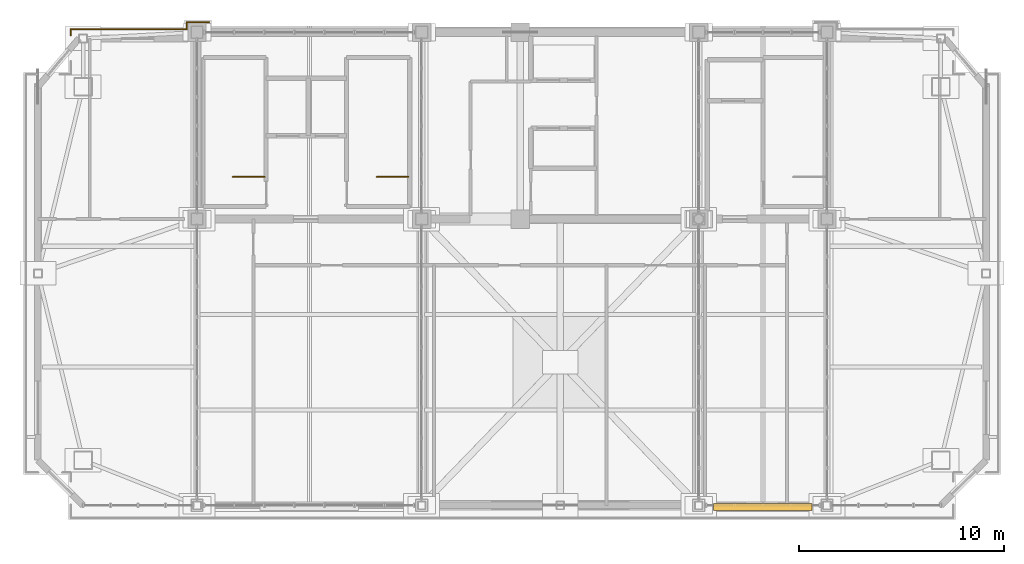
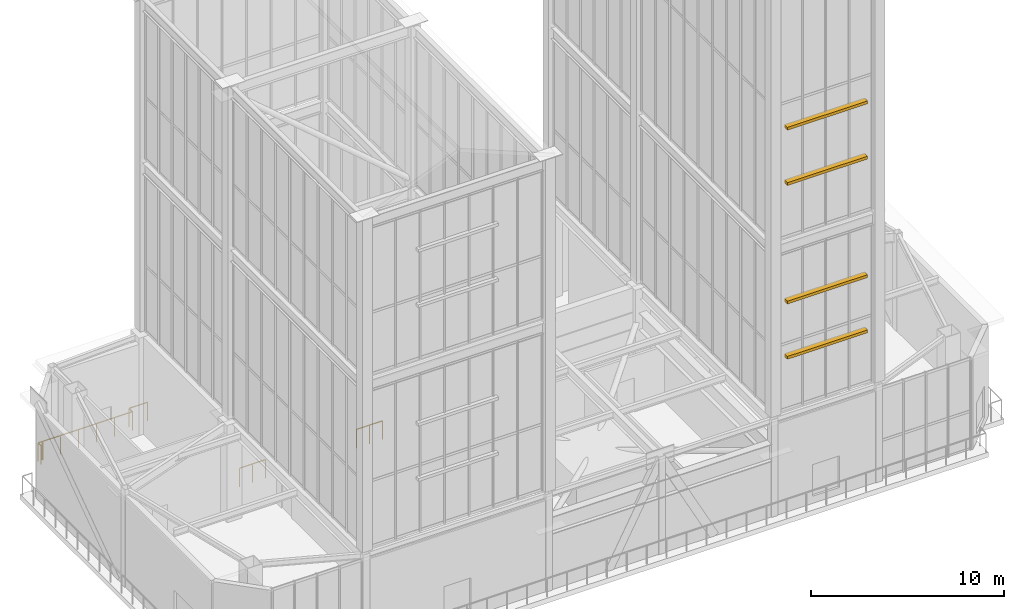
# One storey, part 134 of 135: 7 railings, 4 shading devices.
"""IFC4 building model written with IfcOpenShell, lengths in metres."""

from ifc_helpers import new_model, si_unit, direction, frame, origin, origin_2d, place, context, subcontext, project, spatial, rectangle, extrude, source, transform, mapped, material, type_object, element, save


model = new_model("IFC4")

# Units and contexts
model_context = context("Model", 3, precision=1e-05, world=origin(), true_north=direction((0.0, 1.0)))
body_context = subcontext(model_context, "Body", "Model", "MODEL_VIEW")
ifc_project = project(units=[si_unit("LENGTHUNIT", "METRE"), si_unit("AREAUNIT", "SQUARE_METRE"), si_unit("VOLUMEUNIT", "CUBIC_METRE"), si_unit("PLANEANGLEUNIT", "RADIAN"), si_unit("MASSUNIT", "GRAM", prefix="KILO")], contexts=[model_context])

# Site, building, storey
site_placement = place(None, origin())
site = spatial("IfcSite", under=ifc_project, at=site_placement, CompositionType="ELEMENT")
building_placement = place(site_placement, origin())
building = spatial("IfcBuilding", under=site, at=building_placement, Name="Giltprow Tower", CompositionType="ELEMENT")
storey_placement = place(building_placement, frame((0.0, 0.0, 352.699951171875)))
storey = spatial("IfcBuildingStorey", under=building, at=storey_placement, Name="L92", CompositionType="ELEMENT", Elevation=352.699951171875)

# Railings
ifc_material = material(Name="Anodized bronze", Category="metal")
railing_type_1 = type_object("IfcRailingType", Name="RAIL-BALC-GUARD-1200", PredefinedType="BALUSTRADE", material=ifc_material)
railing_1_placement = place(storey_placement, frame((13.699951171875, 46.4130859375, 0.0)))
element("IfcRailing", 1, at=railing_1_placement, inside=storey, type_object=railing_type_1, Name="L92 Corner Apron Edge Balustrade 15", PredefinedType="BALUSTRADE", context=body_context, shape_type="SweptSolid", body=[
    extrude(rectangle(XDim=0.048095703125, YDim=0.048095703125, at=origin_2d()), frame((0.0, 0.0, 1.17578125), z_axis=(0.0, 1.0, 0.0), x_axis=(-1.0, 0.0, 0.0)), (0.0, 0.0, 1.0), 0.286865234375),
    extrude(rectangle(XDim=0.0419921875, YDim=0.0419921875, at=origin_2d()), origin(), (0.0, 0.0, 1.0), 1.15185546875),
    extrude(rectangle(XDim=0.0419921875, YDim=0.0419921875, at=origin_2d()), frame((0.0, 0.286865234375, 0.0)), (0.0, 0.0, 1.0), 1.15185546875),
])
railing_2_placement = place(storey_placement, frame((13.699951171875, 46.699951171875, 0.0)))
element("IfcRailing", 2, at=railing_2_placement, inside=storey, type_object=railing_type_1, Name="L92 Corner Apron Edge Balustrade 16", PredefinedType="BALUSTRADE", context=body_context, shape_type="SweptSolid", body=[
    extrude(rectangle(XDim=0.048095703125, YDim=0.048095703125, at=origin_2d()), frame((0.0, 0.0, 1.17578125), z_axis=(1.0, 0.0, 0.0), x_axis=(0.0, 1.0, 0.0)), (0.0, 0.0, 1.0), 0.2451171875),
    extrude(rectangle(XDim=0.0419921875, YDim=0.0419921875, at=origin_2d()), origin(), (0.0, 0.0, 1.0), 1.15185546875),
    extrude(rectangle(XDim=0.0419921875, YDim=0.0419921875, at=origin_2d()), frame((0.2451171875, 0.0, 0.0)), (0.0, 0.0, 1.0), 1.15185546875),
])
railing_3_placement = place(storey_placement, frame((13.971923828125, 46.699951171875, 0.0)))
element("IfcRailing", 3, at=railing_3_placement, inside=storey, type_object=railing_type_1, Name="L92 Corner Apron Edge Balustrade 17", PredefinedType="BALUSTRADE", context=body_context, shape_type="SweptSolid", body=[
    extrude(rectangle(XDim=0.048095703125, YDim=0.048095703125, at=origin_2d()), frame((0.0, 0.0, 1.17578125), z_axis=(1.0, 0.0, 0.0), x_axis=(0.0, 1.0, 0.0)), (0.0, 0.0, 1.0), 5.378173828125),
    extrude(rectangle(XDim=0.0419921875, YDim=0.0419921875, at=origin_2d()), origin(), (0.0, 0.0, 1.0), 1.15185546875),
    extrude(rectangle(XDim=0.0419921875, YDim=0.0419921875, at=origin_2d()), frame((1.07568359375, 0.0, 0.0)), (0.0, 0.0, 1.0), 1.15185546875),
    extrude(rectangle(XDim=0.0419921875, YDim=0.0419921875, at=origin_2d()), frame((2.1513671875, 0.0, 0.0)), (0.0, 0.0, 1.0), 1.15185546875),
    extrude(rectangle(XDim=0.0419921875, YDim=0.0419921875, at=origin_2d()), frame((3.226806640625, 0.0, 0.0)), (0.0, 0.0, 1.0), 1.15185546875),
    extrude(rectangle(XDim=0.0419921875, YDim=0.0419921875, at=origin_2d()), frame((4.302490234375, 0.0, 0.0)), (0.0, 0.0, 1.0), 1.15185546875),
    extrude(rectangle(XDim=0.0419921875, YDim=0.0419921875, at=origin_2d()), frame((5.378173828125, 0.0, 0.0)), (0.0, 0.0, 1.0), 1.15185546875),
])
railing_4_placement = place(storey_placement, frame((19.35009765625, 46.699951171875, 0.0)))
element("IfcRailing", 4, at=railing_4_placement, inside=storey, type_object=railing_type_1, Name="L92 Corner Apron Edge Balustrade 18", PredefinedType="BALUSTRADE", context=body_context, shape_type="SweptSolid", body=[
    extrude(rectangle(XDim=0.048095703125, YDim=0.048095703125, at=origin_2d()), frame((0.0, 0.0, 1.17578125), z_axis=(0.0, 1.0, 0.0), x_axis=(-1.0, 0.0, 0.0)), (0.0, 0.0, 1.0), 0.35009765625),
    extrude(rectangle(XDim=0.0419921875, YDim=0.0419921875, at=origin_2d()), origin(), (0.0, 0.0, 1.0), 1.15185546875),
    extrude(rectangle(XDim=0.0419921875, YDim=0.0419921875, at=origin_2d()), frame((0.0, 0.35009765625, 0.0)), (0.0, 0.0, 1.0), 1.15185546875),
])
railing_5_placement = place(storey_placement, frame((19.35009765625, 47.050048828125, 0.0)))
element("IfcRailing", 5, at=railing_5_placement, inside=storey, type_object=railing_type_1, Name="L92 Corner Apron Edge Balustrade 19", PredefinedType="BALUSTRADE", context=body_context, shape_type="SweptSolid", body=[
    extrude(rectangle(XDim=0.048095703125, YDim=0.048095703125, at=origin_2d()), frame((0.0, 0.0, 1.17578125), z_axis=(1.0, 0.0, 0.0), x_axis=(0.0, 1.0, 0.0)), (0.0, 0.0, 1.0), 1.099853515625),
    extrude(rectangle(XDim=0.0419921875, YDim=0.0419921875, at=origin_2d()), origin(), (0.0, 0.0, 1.0), 1.15185546875),
    extrude(rectangle(XDim=0.0419921875, YDim=0.0419921875, at=origin_2d()), frame((1.099853515625, 0.0, 0.0)), (0.0, 0.0, 1.0), 1.15185546875),
])
railing_type_2 = type_object("IfcRailingType", Name="RAIL-STAIR-GUARD-1200", PredefinedType="GUARDRAIL", material=ifc_material)
for number, where, name in (
    (6, (23.159912109375, 39.5, 0.0), "L92 ST-1 top well guard 1"),
    (7, (30.159912109375, 39.5, 0.0), "L92 ST-2 top well guard 1"),
):
    element("IfcRailing", number, at=place(storey_placement, frame(where)), inside=storey, type_object=railing_type_2, Name=name, PredefinedType="GUARDRAIL", context=body_context, shape_type="SweptSolid", body=[
        extrude(rectangle(XDim=0.048095703125, YDim=0.048095703125, at=origin_2d()), frame((0.0, 0.0, 1.17578125), z_axis=(-1.0, 0.0, 0.0), x_axis=(0.0, -1.0, 0.0)), (0.0, 0.0, 1.0), 1.559814453125),
        extrude(rectangle(XDim=0.0419921875, YDim=0.0419921875, at=origin_2d()), origin(), (0.0, 0.0, 1.0), 1.15185546875),
        extrude(rectangle(XDim=0.0419921875, YDim=0.0419921875, at=origin_2d()), frame((-0.77978515625, 0.0, 0.0)), (0.0, 0.0, 1.0), 1.15185546875),
        extrude(rectangle(XDim=0.0419921875, YDim=0.0419921875, at=origin_2d()), frame((-1.559814453125, 0.0, 0.0)), (0.0, 0.0, 1.0), 1.15185546875),
    ])

# Shading devices
shading_device_type = type_object("IfcShadingDeviceType", Name="SHD-CROWN-SLAT-180", PredefinedType="USERDEFINED", material=ifc_material)
shared_shape = source(origin(), body_context, "Body", "SweptSolid", [
    extrude(rectangle(XDim=4.800048828125, YDim=0.320068359375, at=origin_2d()), origin(), (0.0, 0.0, 1.0), 0.179931640625),
])
for number, where, z_axis, x_axis, name in (
    (8, (47.425048828125, 23.419921875, 9.7099609375), (0.0, 0.0, 1.0), (1.0, 0.0, 0.0), "Crown East Bronze Sunshade Slat 1"),
    (9, (47.425048828125, 23.419921875, 13.2099609375), (0.0, 0.0, 1.0), (1.0, 0.0, 0.0), "Crown East Bronze Sunshade Slat 2"),
    (10, (47.425048828125, 23.419921875, 20.7099609375), (0.0, 0.0, 1.0), (1.0, 0.0, 0.0), "Crown East Bronze Sunshade Slat 3"),
    (11, (47.425048828125, 23.419921875, 24.2099609375), (0.0, 0.0, 1.0), (1.0, 0.0, 0.0), "Crown East Bronze Sunshade Slat 4"),
):
    element("IfcShadingDevice", number, at=place(storey_placement, frame(where, z_axis=z_axis, x_axis=x_axis)), inside=storey, type_object=shading_device_type, Name=name, ObjectType="SUNSHADE", PredefinedType="USERDEFINED", context=body_context, shape_type="MappedRepresentation", body=[
        mapped(shared_shape, transform((0.0, 0.0, 0.0), x_axis=(1.0, 0.0, 0.0), y_axis=(0.0, 1.0, 0.0), z_axis=(0.0, 0.0, 1.0), scale=1.0)),
    ])

save(model, "model.ifc")
